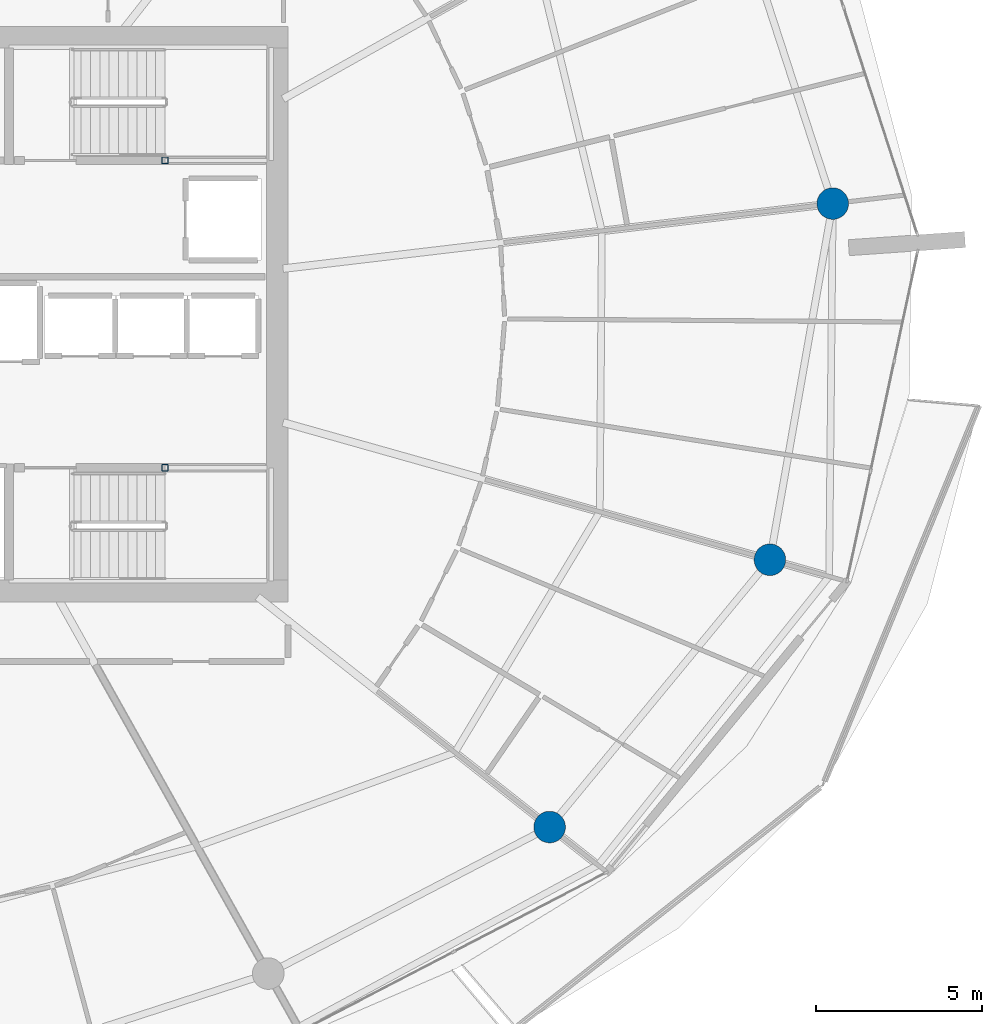
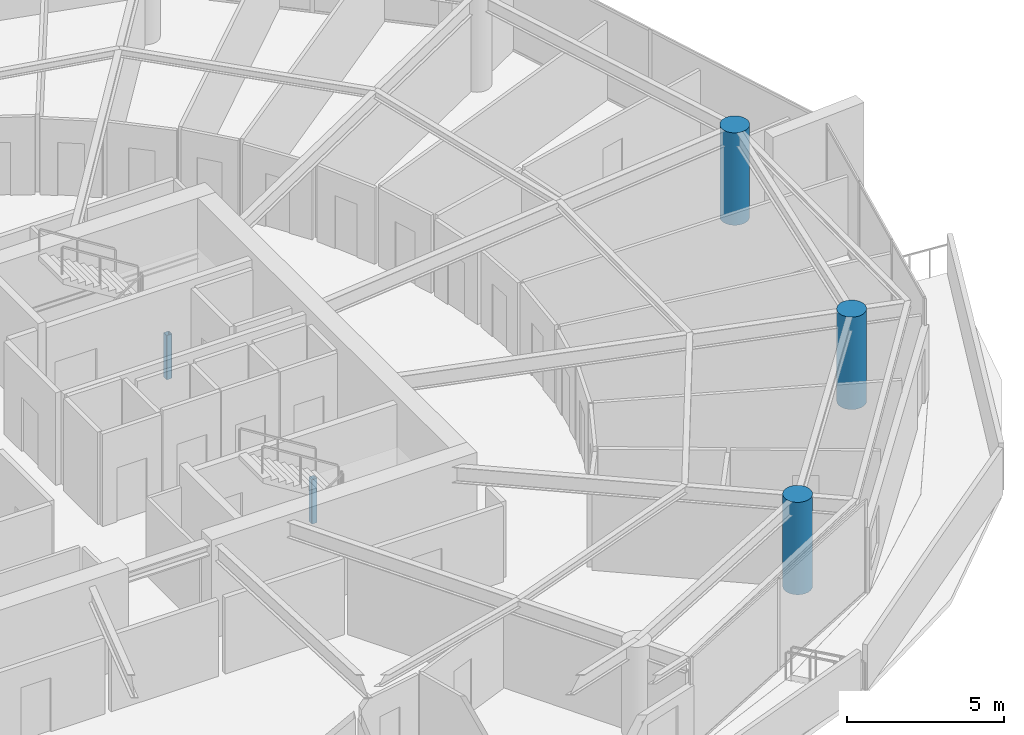
# One storey, part 3 of 29: 5 columns.
"""IFC4 building model written with IfcOpenShell, lengths in metres."""

from ifc_helpers import new_model, si_unit, direction, frame, origin, origin_2d, place, context, subcontext, project, spatial, hollow_rectangle, circle, extrude, material, material_profile, profile_set, type_object, element, save


model = new_model("IFC4")

# Units and contexts
model_context = context("Model", 3, precision=1e-05, world=origin(), true_north=direction((0.0, 1.0)))
body_context = subcontext(model_context, "Body", "Model", "MODEL_VIEW")
ifc_project = project(units=[si_unit("LENGTHUNIT", "METRE"), si_unit("AREAUNIT", "SQUARE_METRE"), si_unit("VOLUMEUNIT", "CUBIC_METRE"), si_unit("PLANEANGLEUNIT", "RADIAN"), si_unit("MASSUNIT", "GRAM", prefix="KILO")], contexts=[model_context])

# Site, building, storey
site_placement = place(None, origin())
site = spatial("IfcSite", under=ifc_project, at=site_placement, CompositionType="ELEMENT")
building_placement = place(site_placement, origin())
building = spatial("IfcBuilding", under=site, at=building_placement, Name="Kazma Halo Residences", CompositionType="ELEMENT")
storey_placement = place(building_placement, frame((0.0, 0.0, 252.10009765625)))
storey = spatial("IfcBuildingStorey", under=building, at=storey_placement, Name="L63", CompositionType="ELEMENT", Elevation=252.10009765625)

# Columns
ifc_material_1 = material(Name="Steel S355", Category="steel")
ifc_material_profile_1 = material_profile(ifc_material_1, hollow_rectangle(XDim=0.199951171875, YDim=0.199951171875, WallThickness=0.010009765625, InnerFilletRadius=0.010009765625, OuterFilletRadius=0.02001953125, at=origin_2d()), Name="SHS200x200x10")
ifc_profile_set_1 = profile_set([ifc_material_profile_1], Name="Steel S355")
column_type_1 = type_object("IfcColumnType", Name="COL-LP-SHS200", PredefinedType="COLUMN", material=ifc_profile_set_1)
for number, where, z_axis, x_axis, name in (
    (1, (56.0, 46.6201171875, 0.0), (0.0, 0.0, 1.0), (1.0, 0.0, 0.0), "L63 ST-02 landing pilaster 1"),
    (2, (56.0, 37.3798828125, 0.0), (0.0, 0.0, 1.0), (1.0, 0.0, 0.0), "L63 ST-03 landing pilaster 1"),
):
    element("IfcColumn", number, at=place(storey_placement, frame(where, z_axis=z_axis, x_axis=x_axis)), inside=storey, type_object=column_type_1, Name=name, PredefinedType="COLUMN", context=body_context, shape_type="SweptSolid", body=[
        extrude(hollow_rectangle(XDim=0.199951171875, YDim=0.199951171875, WallThickness=0.010009765625, InnerFilletRadius=0.010009765625, OuterFilletRadius=0.02001953125, at=origin_2d()), origin(), (0.0, 0.0, 1.0), 1.719970703125),
    ])
ifc_material_2 = material(Name="Concrete C60/75", Category="concrete")
ifc_material_profile_2 = material_profile(ifc_material_2, circle(Radius=0.47509765625, at=origin_2d()), Name="CIRC950")
ifc_profile_set_2 = profile_set([ifc_material_profile_2], Name="Concrete C60/75")
column_type_2 = type_object("IfcColumnType", Name="COL-PERIM-950", PredefinedType="COLUMN", material=ifc_profile_set_2)
for number, where, z_axis, x_axis, name in (
    (3, (67.566162109375, 26.5751953125, 0.0), (0.0, 0.0, 1.0), (1.0, 0.0, 0.0), "L63 perimeter ring column P14"),
    (4, (74.19091796875, 34.61328125, 0.0), (0.0, 0.0, 1.0), (1.0, 0.0, 0.0), "L63 perimeter ring column P15"),
    (5, (76.07958984375, 45.323486328125, 0.0), (0.0, 0.0, 1.0), (1.0, 0.0, 0.0), "L63 perimeter ring column P16"),
):
    element("IfcColumn", number, at=place(storey_placement, frame(where, z_axis=z_axis, x_axis=x_axis)), inside=storey, type_object=column_type_2, Name=name, PredefinedType="COLUMN", context=body_context, shape_type="SweptSolid", body=[
        extrude(circle(Radius=0.47509765625, at=origin_2d()), origin(), (0.0, 0.0, 1.0), 3.58984375),
    ])

save(model, "model.ifc")
